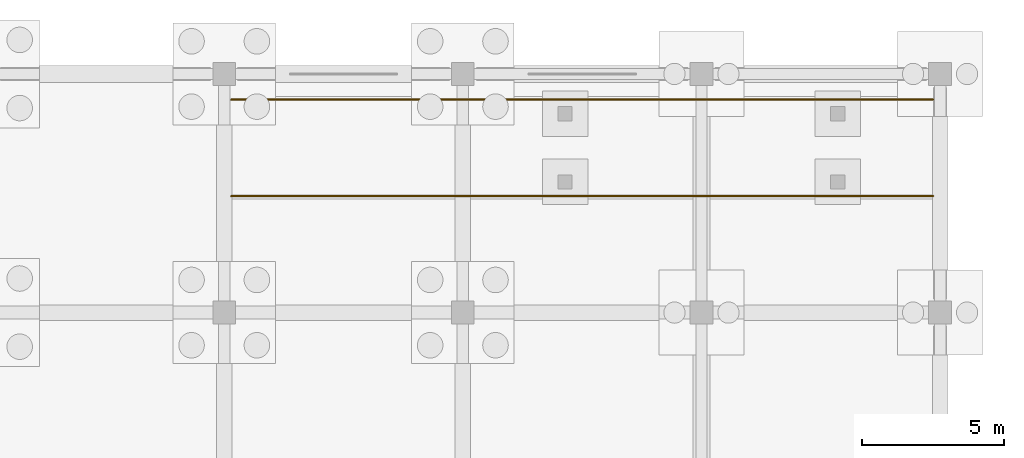
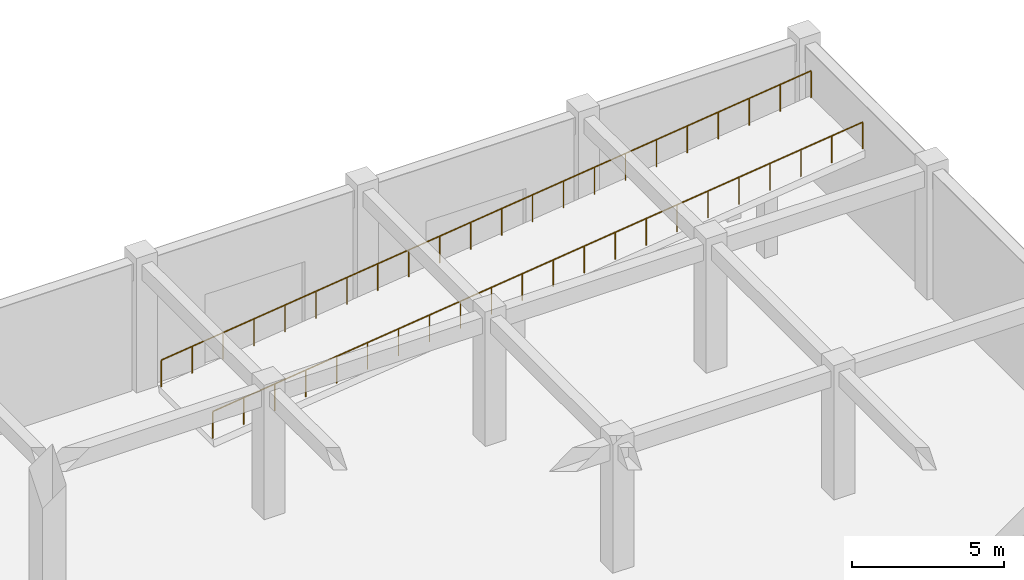
# One storey, part 64 of 65: 2 railings.
"""IFC4 building model written with IfcOpenShell, lengths in metres."""

from ifc_helpers import new_model, si_unit, direction, frame, origin, origin_2d, place, context, subcontext, project, spatial, circle, extrude, material, type_object, element, save


model = new_model("IFC4")

# Units and contexts
model_context = context("Model", 3, precision=1e-05, world=origin(), true_north=direction((0.0, 1.0)))
body_context = subcontext(model_context, "Body", "Model", "MODEL_VIEW")
ifc_project = project(units=[si_unit("LENGTHUNIT", "METRE"), si_unit("AREAUNIT", "SQUARE_METRE"), si_unit("VOLUMEUNIT", "CUBIC_METRE"), si_unit("PLANEANGLEUNIT", "RADIAN"), si_unit("MASSUNIT", "GRAM", prefix="KILO")], contexts=[model_context])

# Site, building, storey
site_placement = place(None, origin())
site = spatial("IfcSite", under=ifc_project, at=site_placement, CompositionType="ELEMENT")
building_placement = place(site_placement, origin())
building = spatial("IfcBuilding", under=site, at=building_placement, Name="Bramfleet General Hospital", CompositionType="ELEMENT")
storey_placement = place(building_placement, frame((0.0, 0.0, -5.39990234375)))
storey = spatial("IfcBuildingStorey", under=building, at=storey_placement, Name="B1", CompositionType="ELEMENT", Elevation=-5.39990234375)

# Railings
ifc_material = material(Name="Stainless steel 1.4401 safety balustrade", Category="steel")
railing_type = type_object("IfcRailingType", Name="RAIL-EXT-GUARD", PredefinedType="GUARDRAIL", material=ifc_material)
railing_1_placement = place(storey_placement, frame((159.85009765625, 113.300048828125, 0.31982421875)))
element("IfcRailing", 1, at=railing_1_placement, inside=storey, type_object=railing_type, Name="B1 Vehicle Ramp Edge Guard S", PredefinedType="GUARDRAIL", context=body_context, shape_type="SweptSolid", body=[
    extrude(circle(Radius=0.02392578125, at=origin_2d()), frame((0.0, 0.0, 1.076171875), z_axis=(0.992800623634, 0.0, 0.11977863629), x_axis=(0.0, 1.0, 0.0)), (0.0, 0.0, 1.0), 24.879150390625),
    extrude(circle(Radius=0.02099609375, at=origin_2d()), origin(), (0.0, 0.0, 1.0), 1.052001953125),
    extrude(circle(Radius=0.02099609375, at=origin_2d()), frame((1.17626953125, 0.0, 0.141845703125)), (0.0, 0.0, 1.0), 1.052001953125),
    extrude(circle(Radius=0.02099609375, at=origin_2d()), frame((2.352294921875, 0.0, 0.28369140625)), (0.0, 0.0, 1.0), 1.052001953125),
    extrude(circle(Radius=0.02099609375, at=origin_2d()), frame((3.528564453125, 0.0, 0.42578125)), (0.0, 0.0, 1.0), 1.052001953125),
    extrude(circle(Radius=0.02099609375, at=origin_2d()), frame((4.704833984375, 0.0, 0.567626953125)), (0.0, 0.0, 1.0), 1.052001953125),
    extrude(circle(Radius=0.02099609375, at=origin_2d()), frame((5.880859375, 0.0, 0.70947265625)), (0.0, 0.0, 1.0), 1.052001953125),
    extrude(circle(Radius=0.02099609375, at=origin_2d()), frame((7.05712890625, 0.0, 0.851318359375)), (0.0, 0.0, 1.0), 1.052001953125),
    extrude(circle(Radius=0.02099609375, at=origin_2d()), frame((8.2333984375, 0.0, 0.993408203125)), (0.0, 0.0, 1.0), 1.052001953125),
    extrude(circle(Radius=0.02099609375, at=origin_2d()), frame((9.409423828125, 0.0, 1.13525390625)), (0.0, 0.0, 1.0), 1.052001953125),
    extrude(circle(Radius=0.02099609375, at=origin_2d()), frame((10.585693359375, 0.0, 1.277099609375)), (0.0, 0.0, 1.0), 1.052001953125),
    extrude(circle(Radius=0.02099609375, at=origin_2d()), frame((11.761962890625, 0.0, 1.4189453125)), (0.0, 0.0, 1.0), 1.052001953125),
    extrude(circle(Radius=0.02099609375, at=origin_2d()), frame((12.93798828125, 0.0, 1.56103515625)), (0.0, 0.0, 1.0), 1.052001953125),
    extrude(circle(Radius=0.02099609375, at=origin_2d()), frame((14.1142578125, 0.0, 1.702880859375)), (0.0, 0.0, 1.0), 1.052001953125),
    extrude(circle(Radius=0.02099609375, at=origin_2d()), frame((15.29052734375, 0.0, 1.8447265625)), (0.0, 0.0, 1.0), 1.052001953125),
    extrude(circle(Radius=0.02099609375, at=origin_2d()), frame((16.466552734375, 0.0, 1.986572265625)), (0.0, 0.0, 1.0), 1.052001953125),
    extrude(circle(Radius=0.02099609375, at=origin_2d()), frame((17.642822265625, 0.0, 2.128662109375)), (0.0, 0.0, 1.0), 1.052001953125),
    extrude(circle(Radius=0.02099609375, at=origin_2d()), frame((18.819091796875, 0.0, 2.2705078125)), (0.0, 0.0, 1.0), 1.052001953125),
    extrude(circle(Radius=0.02099609375, at=origin_2d()), frame((19.9951171875, 0.0, 2.412353515625)), (0.0, 0.0, 1.0), 1.052001953125),
    extrude(circle(Radius=0.02099609375, at=origin_2d()), frame((21.17138671875, 0.0, 2.55419921875)), (0.0, 0.0, 1.0), 1.052001953125),
    extrude(circle(Radius=0.02099609375, at=origin_2d()), frame((22.34765625, 0.0, 2.6962890625)), (0.0, 0.0, 1.0), 1.052001953125),
    extrude(circle(Radius=0.02099609375, at=origin_2d()), frame((23.523681640625, 0.0, 2.838134765625)), (0.0, 0.0, 1.0), 1.052001953125),
    extrude(circle(Radius=0.02099609375, at=origin_2d()), frame((24.699951171875, 0.0, 2.97998046875)), (0.0, 0.0, 1.0), 1.052001953125),
])
railing_2_placement = place(storey_placement, frame((159.85009765625, 116.699951171875, 0.31982421875)))
element("IfcRailing", 2, at=railing_2_placement, inside=storey, type_object=railing_type, Name="B1 Vehicle Ramp Edge Guard N", PredefinedType="GUARDRAIL", context=body_context, shape_type="SweptSolid", body=[
    extrude(circle(Radius=0.02392578125, at=origin_2d()), frame((0.0, 0.0, 1.076171875), z_axis=(0.992800623634, 0.0, 0.11977863629), x_axis=(0.0, 1.0, 0.0)), (0.0, 0.0, 1.0), 24.879150390625),
    extrude(circle(Radius=0.02099609375, at=origin_2d()), origin(), (0.0, 0.0, 1.0), 1.052001953125),
    extrude(circle(Radius=0.02099609375, at=origin_2d()), frame((1.17626953125, 0.0, 0.141845703125)), (0.0, 0.0, 1.0), 1.052001953125),
    extrude(circle(Radius=0.02099609375, at=origin_2d()), frame((2.352294921875, 0.0, 0.28369140625)), (0.0, 0.0, 1.0), 1.052001953125),
    extrude(circle(Radius=0.02099609375, at=origin_2d()), frame((3.528564453125, 0.0, 0.42578125)), (0.0, 0.0, 1.0), 1.052001953125),
    extrude(circle(Radius=0.02099609375, at=origin_2d()), frame((4.704833984375, 0.0, 0.567626953125)), (0.0, 0.0, 1.0), 1.052001953125),
    extrude(circle(Radius=0.02099609375, at=origin_2d()), frame((5.880859375, 0.0, 0.70947265625)), (0.0, 0.0, 1.0), 1.052001953125),
    extrude(circle(Radius=0.02099609375, at=origin_2d()), frame((7.05712890625, 0.0, 0.851318359375)), (0.0, 0.0, 1.0), 1.052001953125),
    extrude(circle(Radius=0.02099609375, at=origin_2d()), frame((8.2333984375, 0.0, 0.993408203125)), (0.0, 0.0, 1.0), 1.052001953125),
    extrude(circle(Radius=0.02099609375, at=origin_2d()), frame((9.409423828125, 0.0, 1.13525390625)), (0.0, 0.0, 1.0), 1.052001953125),
    extrude(circle(Radius=0.02099609375, at=origin_2d()), frame((10.585693359375, 0.0, 1.277099609375)), (0.0, 0.0, 1.0), 1.052001953125),
    extrude(circle(Radius=0.02099609375, at=origin_2d()), frame((11.761962890625, 0.0, 1.4189453125)), (0.0, 0.0, 1.0), 1.052001953125),
    extrude(circle(Radius=0.02099609375, at=origin_2d()), frame((12.93798828125, 0.0, 1.56103515625)), (0.0, 0.0, 1.0), 1.052001953125),
    extrude(circle(Radius=0.02099609375, at=origin_2d()), frame((14.1142578125, 0.0, 1.702880859375)), (0.0, 0.0, 1.0), 1.052001953125),
    extrude(circle(Radius=0.02099609375, at=origin_2d()), frame((15.29052734375, 0.0, 1.8447265625)), (0.0, 0.0, 1.0), 1.052001953125),
    extrude(circle(Radius=0.02099609375, at=origin_2d()), frame((16.466552734375, 0.0, 1.986572265625)), (0.0, 0.0, 1.0), 1.052001953125),
    extrude(circle(Radius=0.02099609375, at=origin_2d()), frame((17.642822265625, 0.0, 2.128662109375)), (0.0, 0.0, 1.0), 1.052001953125),
    extrude(circle(Radius=0.02099609375, at=origin_2d()), frame((18.819091796875, 0.0, 2.2705078125)), (0.0, 0.0, 1.0), 1.052001953125),
    extrude(circle(Radius=0.02099609375, at=origin_2d()), frame((19.9951171875, 0.0, 2.412353515625)), (0.0, 0.0, 1.0), 1.052001953125),
    extrude(circle(Radius=0.02099609375, at=origin_2d()), frame((21.17138671875, 0.0, 2.55419921875)), (0.0, 0.0, 1.0), 1.052001953125),
    extrude(circle(Radius=0.02099609375, at=origin_2d()), frame((22.34765625, 0.0, 2.6962890625)), (0.0, 0.0, 1.0), 1.052001953125),
    extrude(circle(Radius=0.02099609375, at=origin_2d()), frame((23.523681640625, 0.0, 2.838134765625)), (0.0, 0.0, 1.0), 1.052001953125),
    extrude(circle(Radius=0.02099609375, at=origin_2d()), frame((24.699951171875, 0.0, 2.97998046875)), (0.0, 0.0, 1.0), 1.052001953125),
])

save(model, "model.ifc")
